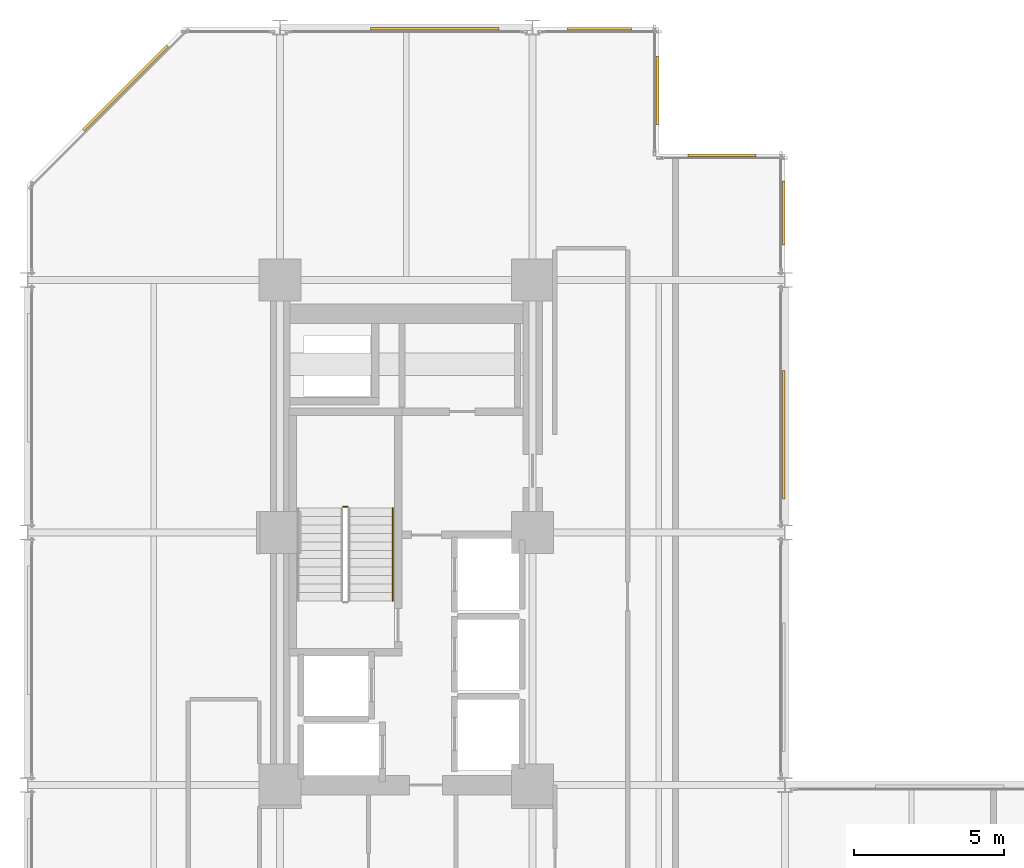
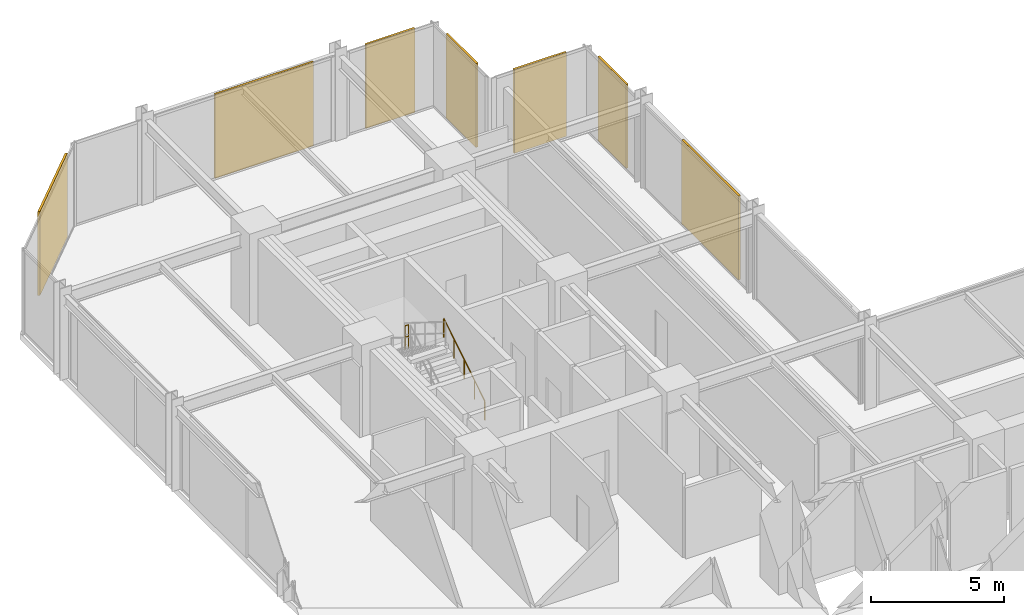
# One storey, part 26 of 26: 7 coverings, 2 railings.
"""IFC4 building model written with IfcOpenShell, lengths in metres."""

from ifc_helpers import new_model, si_unit, direction, frame, origin, origin_2d, place, context, subcontext, project, spatial, rectangle, circle, extrude, material, layer, layer_set, type_object, element, save


model = new_model("IFC4")

# Units and contexts
model_context = context("Model", 3, precision=1e-05, world=origin(), true_north=direction((0.0, 1.0)))
body_context = subcontext(model_context, "Body", "Model", "MODEL_VIEW")
ifc_project = project(units=[si_unit("LENGTHUNIT", "METRE"), si_unit("AREAUNIT", "SQUARE_METRE"), si_unit("VOLUMEUNIT", "CUBIC_METRE"), si_unit("PLANEANGLEUNIT", "RADIAN"), si_unit("MASSUNIT", "GRAM", prefix="KILO")], contexts=[model_context])

# Site, building, storey
site_placement = place(None, origin())
site = spatial("IfcSite", under=ifc_project, at=site_placement, CompositionType="ELEMENT")
building_placement = place(site_placement, origin())
building = spatial("IfcBuilding", under=site, at=building_placement, Name="Nerrivon Quay Data Exchange", CompositionType="ELEMENT")
storey_placement = place(building_placement, frame((0.0, 0.0, 75.199951171875)))
storey = spatial("IfcBuildingStorey", under=building, at=storey_placement, Name="L17", CompositionType="ELEMENT", Elevation=75.199951171875)

# Coverings
ifc_material_1 = material(Name="Architectural terracotta ceramic", Category="masonry")
ifc_layer = layer(ifc_material_1, 0.090087890625)
ifc_layer_set = layer_set([ifc_layer], Name="Architectural terracotta ceramic")
covering_type = type_object("IfcCoveringType", Name="COV-SCR-TERR", PredefinedType="CLADDING", material=ifc_layer_set)
covering_1_placement = place(storey_placement, frame((3.255859375, 48.39208984375, 0.0), z_axis=(0.0, 0.0, 1.0), x_axis=(0.707106781187, 0.707106781187, 0.0)))
element("IfcCovering", 1, at=covering_1_placement, inside=storey, type_object=covering_type, Name="L17 Perforated Terracotta SOLAR SCREEN Cassette", PredefinedType="CLADDING", context=body_context, shape_type="SweptSolid", body=[
    extrude(rectangle(XDim=3.970947265625, YDim=0.090087890625, at=origin_2d()), origin(), (0.0, 0.0, 1.0), 3.85009765625),
])
covering_2_placement = place(storey_placement, frame((13.548095703125, 50.35498046875, 0.0), z_axis=(0.0, 0.0, 1.0), x_axis=(1.0, 0.0, 0.0)))
element("IfcCovering", 2, at=covering_2_placement, inside=storey, type_object=covering_type, Name="L17 Perforated Terracotta SOLAR SCREEN Cassette", PredefinedType="CLADDING", context=body_context, shape_type="SweptSolid", body=[
    extrude(rectangle(XDim=4.26611328125, YDim=0.090087890625, at=origin_2d()), origin(), (0.0, 0.0, 1.0), 3.85009765625),
])
covering_3_placement = place(storey_placement, frame((19.02490234375, 50.35498046875, 0.0), z_axis=(0.0, 0.0, 1.0), x_axis=(1.0, 0.0, 0.0)))
element("IfcCovering", 3, at=covering_3_placement, inside=storey, type_object=covering_type, Name="L17 Perforated Terracotta SOLAR SCREEN Cassette", PredefinedType="CLADDING", context=body_context, shape_type="SweptSolid", body=[
    extrude(rectangle(XDim=2.133056640625, YDim=0.090087890625, at=origin_2d()), origin(), (0.0, 0.0, 1.0), 3.85009765625),
])
for number, where, z_axis, x_axis, name in (
    (4, (20.955078125, 48.300048828125, 0.0), (0.0, 0.0, 1.0), (0.0, -1.0, 0.0), "L17 Perforated Terracotta SOLAR SCREEN Cassette"),
    (5, (23.10009765625, 46.155029296875, 0.0), (0.0, 0.0, 1.0), (1.0, 0.0, 0.0), "L17 Perforated Terracotta SOLAR SCREEN Cassette"),
):
    element("IfcCovering", number, at=place(storey_placement, frame(where, z_axis=z_axis, x_axis=x_axis)), inside=storey, type_object=covering_type, Name=name, PredefinedType="CLADDING", context=body_context, shape_type="SweptSolid", body=[
        extrude(rectangle(XDim=2.26806640625, YDim=0.090087890625, at=origin_2d()), origin(), (0.0, 0.0, 1.0), 3.85009765625),
    ])
covering_4_placement = place(storey_placement, frame((25.155029296875, 44.22509765625, 0.0), z_axis=(0.0, 0.0, 1.0), x_axis=(0.0, -1.0, 0.0)))
element("IfcCovering", 6, at=covering_4_placement, inside=storey, type_object=covering_type, Name="L17 Perforated Terracotta SOLAR SCREEN Cassette", PredefinedType="CLADDING", context=body_context, shape_type="SweptSolid", body=[
    extrude(rectangle(XDim=2.133056640625, YDim=0.090087890625, at=origin_2d()), origin(), (0.0, 0.0, 1.0), 3.85009765625),
])
covering_5_placement = place(storey_placement, frame((25.155029296875, 36.85205078125, 0.0), z_axis=(0.0, 0.0, 1.0), x_axis=(0.0, -1.0, 0.0)))
element("IfcCovering", 7, at=covering_5_placement, inside=storey, type_object=covering_type, Name="L17 Perforated Terracotta SOLAR SCREEN Cassette", PredefinedType="CLADDING", context=body_context, shape_type="SweptSolid", body=[
    extrude(rectangle(XDim=4.26611328125, YDim=0.090087890625, at=origin_2d()), origin(), (0.0, 0.0, 1.0), 3.85009765625),
])

# Railings
ifc_material_2 = material(Name="Steel Grade C350L0 (350 MPa)", Category="steel")
railing_type_1 = type_object("IfcRailingType", Name="RAIL-HAND-HR1", PredefinedType="HANDRAIL", material=ifc_material_2)
railing_1_placement = place(storey_placement, frame((12.14990234375, 31.330078125, 0.175048828125)))
element("IfcRailing", 8, at=railing_1_placement, inside=storey, type_object=railing_type_1, Name="L17 ST01 stair handrail 1", PredefinedType="HANDRAIL", context=body_context, shape_type="SweptSolid", body=[
    extrude(circle(Radius=0.02392578125, at=origin_2d()), frame((0.0, 0.0, 0.8759765625), z_axis=(0.0, 0.847979421464, 0.530029150871), x_axis=(-1.0, 0.0, 0.0)), (0.0, 0.0, 1.0), 3.632080078125),
    extrude(circle(Radius=0.02099609375, at=origin_2d()), origin(), (0.0, 0.0, 1.0), 0.851806640625),
    extrude(circle(Radius=0.02099609375, at=origin_2d()), frame((0.0, 0.77001953125, 0.481201171875)), (0.0, 0.0, 1.0), 0.851806640625),
    extrude(circle(Radius=0.02099609375, at=origin_2d()), frame((0.0, 1.5400390625, 0.96240234375)), (0.0, 0.0, 1.0), 0.851806640625),
    extrude(circle(Radius=0.02099609375, at=origin_2d()), frame((0.0, 2.309814453125, 1.44384765625)), (0.0, 0.0, 1.0), 0.851806640625),
    extrude(circle(Radius=0.02099609375, at=origin_2d()), frame((0.0, 3.079833984375, 1.925048828125)), (0.0, 0.0, 1.0), 0.851806640625),
])
railing_type_2 = type_object("IfcRailingType", Name="RAIL-STAIR-GR1", PredefinedType="BALUSTRADE", material=ifc_material_2)
railing_2_placement = place(storey_placement, frame((10.64990234375, 34.4599609375, 2.10009765625)))
element("IfcRailing", 9, at=railing_2_placement, inside=storey, type_object=railing_type_2, Name="L17 ST01 stair guard 2", PredefinedType="BALUSTRADE", context=body_context, shape_type="SweptSolid", body=[
    extrude(circle(Radius=0.02392578125, at=origin_2d()), frame((0.0, 0.0, 1.076171875), z_axis=(-1.0, 0.0, 0.0), x_axis=(0.0, -1.0, 0.0)), (0.0, 0.0, 1.0), 0.14990234375),
    extrude(circle(Radius=0.02392578125, at=origin_2d()), frame((0.0, 0.0, 0.550048828125), z_axis=(-1.0, 0.0, 0.0), x_axis=(0.0, -1.0, 0.0)), (0.0, 0.0, 1.0), 0.14990234375),
    extrude(circle(Radius=0.02099609375, at=origin_2d()), origin(), (0.0, 0.0, 1.0), 1.052001953125),
    extrude(circle(Radius=0.02099609375, at=origin_2d()), frame((-0.14990234375, 0.0, 0.0)), (0.0, 0.0, 1.0), 1.052001953125),
])

save(model, "model.ifc")
